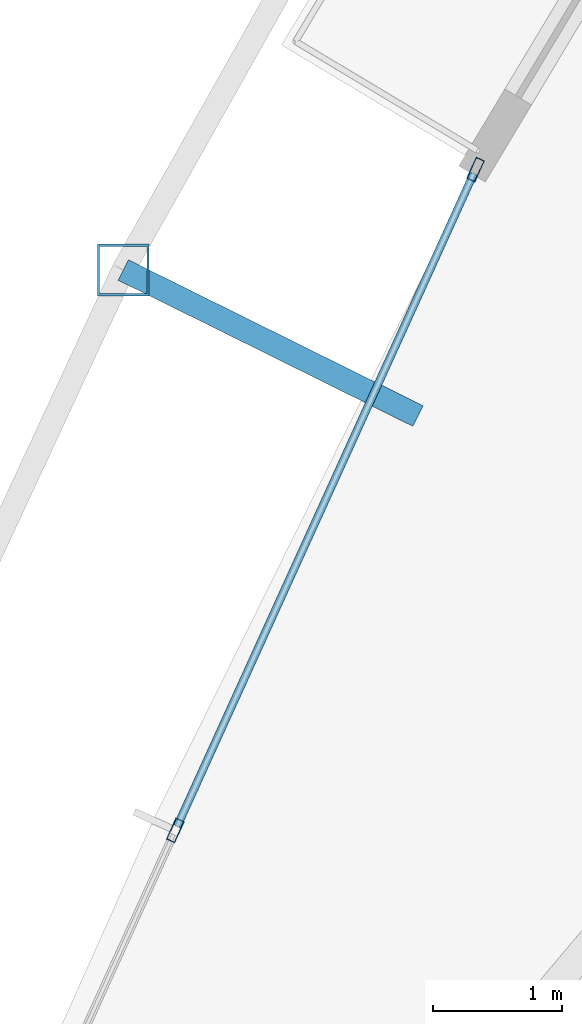
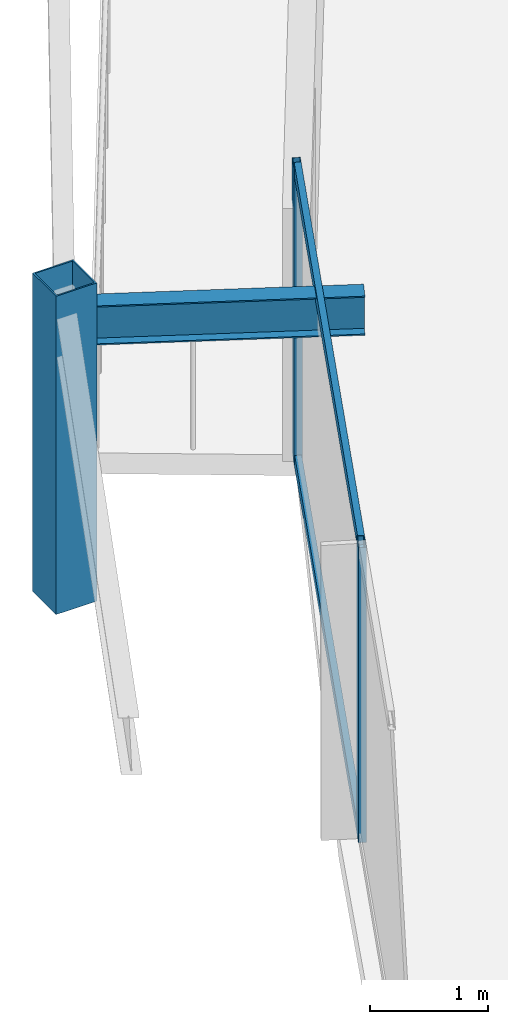
# One storey, part 10 of 30: 5 members, 1 beam, 1 element without a shape of its own.
"""IFC4 building model written with IfcOpenShell, lengths in metres."""

from ifc_helpers import new_model, si_unit, direction, frame, origin, origin_2d, place, context, subcontext, project, spatial, hollow_rectangle, i_section, extrude, material, layer, layer_set, material_profile, profile_set, type_object, element, aggregate, save


model = new_model("IFC4")

# Units and contexts
model_context = context("Model", 3, precision=1e-05, world=origin(), true_north=direction((0.0, 1.0)))
body_context = subcontext(model_context, "Body", "Model", "MODEL_VIEW")
ifc_project = project(units=[si_unit("LENGTHUNIT", "METRE"), si_unit("AREAUNIT", "SQUARE_METRE"), si_unit("VOLUMEUNIT", "CUBIC_METRE"), si_unit("PLANEANGLEUNIT", "RADIAN"), si_unit("MASSUNIT", "GRAM", prefix="KILO")], contexts=[model_context])

# Site, building, storey
site_placement = place(None, origin())
site = spatial("IfcSite", under=ifc_project, at=site_placement, CompositionType="ELEMENT")
building_placement = place(site_placement, origin())
building = spatial("IfcBuilding", under=site, at=building_placement, Name="Orvanel Arch Residences", CompositionType="ELEMENT")
storey_placement = place(building_placement, frame((0.0, 0.0, 136.39990234375)))
storey = spatial("IfcBuildingStorey", under=building, at=storey_placement, Name="L38", CompositionType="ELEMENT", Elevation=136.39990234375)

# Curtain wall, members
ifc_material_1 = material(Name="Bronze-anodised aluminium AA6063-T6", Category="aluminium")
ifc_layer = layer(ifc_material_1, 0.179931640625)
ifc_layer_set = layer_set([ifc_layer], Name="Bronze-anodised aluminium AA6063-T6")
curtain_wall_type = type_object("IfcCurtainWallType", Name="CW3-MID-SYS", PredefinedType="NOTDEFINED", material=ifc_layer_set)
curtain_wall_placement = place(storey_placement, origin())
curtain_wall = element("IfcCurtainWall", 1, at=curtain_wall_placement, inside=storey, type_object=curtain_wall_type, Name="L38 CW3-MID-SYS Unitised Curtain Wall", PredefinedType="NOTDEFINED")
ifc_material_profile_1 = material_profile(ifc_material_1, hollow_rectangle(XDim=0.070068359375, YDim=0.179931640625, WallThickness=0.00439453125, at=origin_2d()), Name="ALU180x70x4.5")
ifc_profile_set_1 = profile_set([ifc_material_profile_1], Name="Bronze-anodised aluminium AA6063-T6")
member_type_1 = type_object("IfcMemberType", Name="MUL-180x70", PredefinedType="MULLION", material=ifc_profile_set_1)
member_1_placement = place(storey_placement, frame((14.53662109375, 24.526123046875, 0.0), z_axis=(0.0, 0.0, 1.0), x_axis=(0.910449142842, -0.413621032225, 0.0)))
member_1 = element("IfcMember", 2, at=member_1_placement, type_object=member_type_1, Name="CW-S3 mullion 1", PredefinedType="MULLION", context=body_context, shape_type="SweptSolid", body=[
    extrude(hollow_rectangle(XDim=0.070068359375, YDim=0.179931640625, WallThickness=0.00439453125, at=origin_2d()), origin(), (0.0, 0.0, 1.0), 3.06005859375),
])
member_2_placement = place(storey_placement, frame((12.209716796875, 19.404296875, 0.0), z_axis=(0.0, 0.0, 1.0), x_axis=(0.910449142842, -0.413621032225, 0.0)))
member_2 = element("IfcMember", 3, at=member_2_placement, type_object=member_type_1, Name="CW-S3 mullion 2", PredefinedType="MULLION", context=body_context, shape_type="SweptSolid", body=[
    extrude(hollow_rectangle(XDim=0.070068359375, YDim=0.179931640625, WallThickness=0.00439453125, at=origin_2d()), origin(), (0.0, 0.0, 1.0), 3.06005859375),
])

# Beam
ifc_material_2 = material(Name="Structural steel AS/NZS 3679.1 Grade 300 (300 MPa)", Category="steel")
ifc_material_profile_2 = material_profile(ifc_material_2, i_section(OverallWidth=0.177978515625, OverallDepth=0.406005859375, WebThickness=0.0078125, FlangeThickness=0.0126953125, at=origin_2d()), Name="410UB59.7")
ifc_profile_set_2 = profile_set([ifc_material_profile_2], Name="Structural steel AS/NZS 3679.1 Grade 300 (300 MPa)")
beam_type = type_object("IfcBeamType", Name="OB-410UB-EXT", PredefinedType="SPANDREL", material=ifc_profile_set_2)
beam_placement = place(storey_placement, frame((14.091064453125, 22.615966796875, 2.857177734375), z_axis=(-0.89606774842, 0.443917323656, 0.0), x_axis=(-0.443917323656, -0.89606774842, 0.0)))
element("IfcBeam", 4, at=beam_placement, inside=storey, type_object=beam_type, Name="L38 Outer Frame Radial Tie Beam 03", PredefinedType="SPANDREL", context=body_context, shape_type="SweptSolid", body=[
    extrude(i_section(OverallWidth=0.177978515625, OverallDepth=0.406005859375, WebThickness=0.0078125, FlangeThickness=0.0126953125, at=origin_2d()), origin(), (0.0, 0.0, 1.0), 2.55029296875),
])

# Member
ifc_material_3 = material(Name="Structural steel AS/NZS 1163 C450L0 (Grade 450)", Category="steel")
ifc_material_profile_3 = material_profile(ifc_material_3, hollow_rectangle(XDim=0.39990234375, YDim=0.39990234375, WallThickness=0.01611328125, at=origin_2d()), Name="SHS400x400x16")
ifc_profile_set_3 = profile_set([ifc_material_profile_3], Name="Structural steel AS/NZS 1163 C450L0 (Grade 450)")
member_type_2 = type_object("IfcMemberType", Name="ST-400SHS-EXT", PredefinedType="STRUT", material=ifc_profile_set_3)
member_3_placement = place(storey_placement, frame((11.805908203125, 23.748046875, 0.0), z_axis=(0.0, 0.0, 1.0), x_axis=(1.0, 0.0, 0.0)))
element("IfcMember", 5, at=member_3_placement, inside=storey, type_object=member_type_2, Name="L38 Outer Perimeter Frame Post 03", PredefinedType="STRUT", context=body_context, shape_type="SweptSolid", body=[
    extrude(hollow_rectangle(XDim=0.39990234375, YDim=0.39990234375, WallThickness=0.01611328125, at=origin_2d()), origin(), (0.0, 0.0, 1.0), 3.300048828125),
])

ifc_material_profile_4 = material_profile(ifc_material_1, hollow_rectangle(XDim=0.06005859375, YDim=0.135009765625, WallThickness=0.00390625, at=origin_2d()), Name="ALU135x60x4")
ifc_profile_set_4 = profile_set([ifc_material_profile_4], Name="Bronze-anodised aluminium AA6063-T6")
member_type_3 = type_object("IfcMemberType", Name="TRN-135x60", PredefinedType="USERDEFINED", material=ifc_profile_set_4)
member_4_placement = place(storey_placement, frame((14.52197265625, 24.494384765625, 0.030029296875), z_axis=(-0.413610901204, -0.910453745341, 0.0), x_axis=(0.910453745341, -0.413610901204, 0.0)))
member_4 = element("IfcMember", 6, at=member_4_placement, type_object=member_type_3, Name="CW-S3 transom 1.1", ObjectType="TRANSOM", PredefinedType="USERDEFINED", context=body_context, shape_type="SweptSolid", body=[
    extrude(hollow_rectangle(XDim=0.06005859375, YDim=0.135009765625, WallThickness=0.00390625, at=origin_2d()), origin(), (0.0, 0.0, 1.0), 5.5556640625),
])

member_5_placement = place(storey_placement, frame((14.52197265625, 24.494384765625, 3.030029296875), z_axis=(-0.413610901204, -0.910453745341, 0.0), x_axis=(0.910453745341, -0.413610901204, 0.0)))
member_5 = element("IfcMember", 7, at=member_5_placement, type_object=member_type_3, Name="CW-S3 transom 1.2", ObjectType="TRANSOM", PredefinedType="USERDEFINED", context=body_context, shape_type="SweptSolid", body=[
    extrude(hollow_rectangle(XDim=0.06005859375, YDim=0.135009765625, WallThickness=0.00390625, at=origin_2d()), origin(), (0.0, 0.0, 1.0), 5.5556640625),
])

aggregate(curtain_wall, [member_1, member_2, member_4, member_5])

save(model, "model.ifc")
